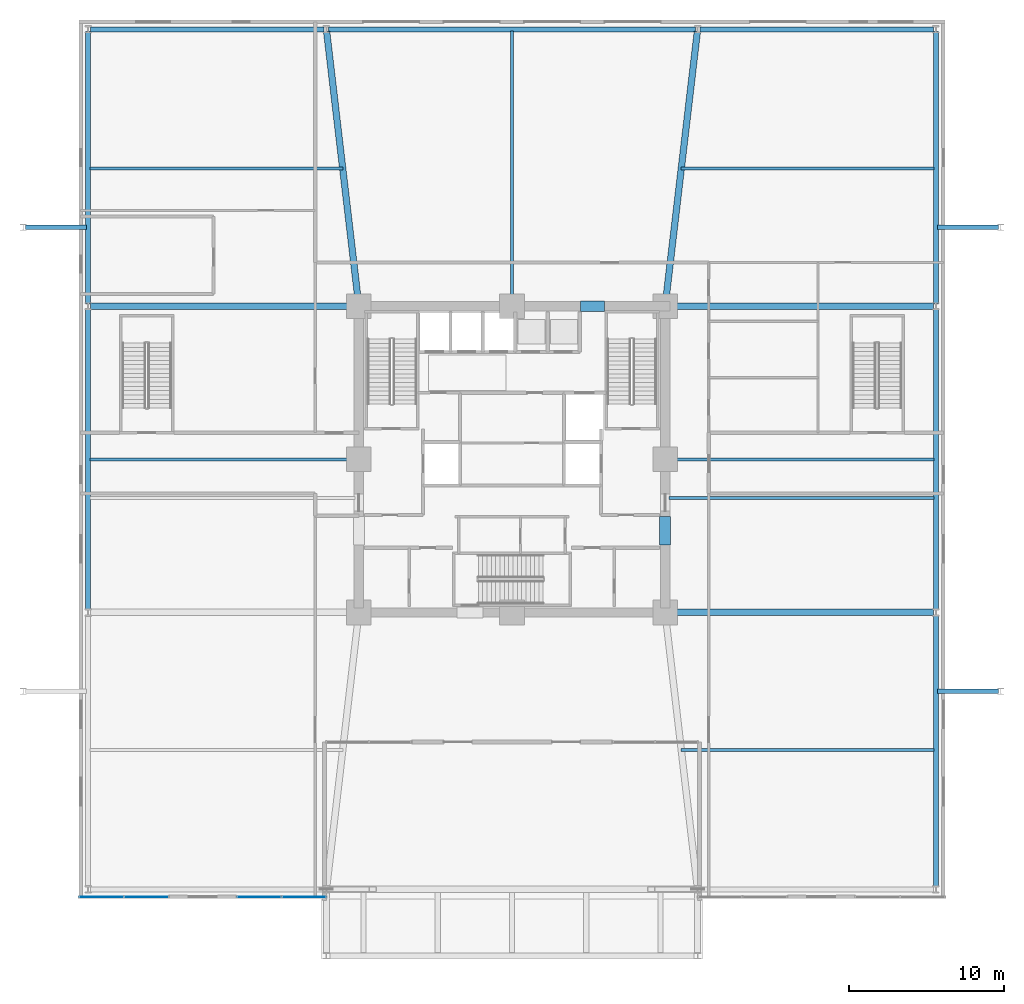
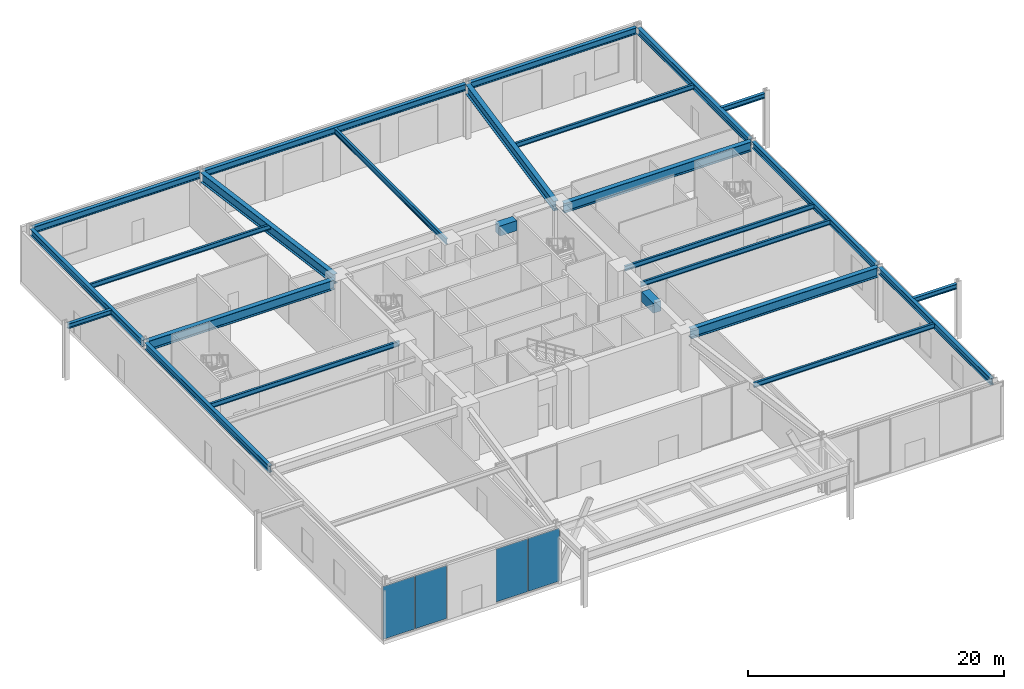
# One storey, part 15 of 24: 25 beams, 4 plates, 2 elements without a shape of their own.
"""IFC4 building model written with IfcOpenShell, lengths in metres."""

import ifcopenshell
import ifcopenshell.guid

model = None  # the IFC model being written
_history = None  # IfcOwnerHistory: only IFC2X3 demands one
_inside = {}  # id of a spatial element -> (the spatial element, [elements in it])
_under = {}  # id of a project, library or spatial element -> (it, [spatial elements below it])
_declared = {}  # id of a project -> (the project, [libraries it declares])
_typed = {}  # id of a type object -> (the type object, [elements of that type])
_made_of = {}  # id of a material, layer set ... -> (it, [elements and type objects made of it])


def new_model(schema):
    """Start an empty IFC model of exactly this schema.

    Asked for "IFC4X3", IfcOpenShell would pick the latest addendum, in which some entities
    have other attributes; the version numbers below select the first issue.
    IFC2X3 requires an IfcOwnerHistory on every rooted entity: one is made here for all.
    """
    global model, _history
    if schema == "IFC4X3":
        model = ifcopenshell.file(schema_version=(4, 3, 0, 0))
    else:
        model = ifcopenshell.file(schema=schema)
    _inside.clear()
    _under.clear()
    _declared.clear()
    _typed.clear()
    _made_of.clear()
    _history = None
    if model.schema == "IFC2X3":
        org = make("IfcOrganization", Name="unknown")
        user = make(
            "IfcPersonAndOrganization",
            ThePerson=make("IfcPerson", FamilyName="unknown"),
            TheOrganization=org,
        )
        app = make(
            "IfcApplication",
            ApplicationDeveloper=org,
            Version="unknown",
            ApplicationFullName="unknown",
            ApplicationIdentifier="unknown",
        )
        _history = make(
            "IfcOwnerHistory",
            OwningUser=user,
            OwningApplication=app,
            ChangeAction="ADDED",
            CreationDate=0,
        )
    return model


def make(cls, **values):
    """One entity of the class cls with the attributes given. An attribute that is None is left unset."""
    return model.create_entity(
        cls, **{name: value for name, value in values.items() if value is not None}
    )


def rooted(cls, **values):
    """An entity with a GlobalId (a new one), such as an element, a storey or a relation."""
    return make(cls, GlobalId=ifcopenshell.guid.new(), OwnerHistory=_history, **values)


def si_unit(unit_type, name, prefix=None):
    """IfcSIUnit, for example si_unit("LENGTHUNIT", "METRE", prefix="MILLI")."""
    return make("IfcSIUnit", UnitType=unit_type, Prefix=prefix, Name=name)


def assignment(units):
    """IfcUnitAssignment: the units of a project."""
    return None if units is None else make("IfcUnitAssignment", Units=units)


def point(xyz):
    """IfcCartesianPoint."""
    return None if xyz is None else make("IfcCartesianPoint", Coordinates=xyz)


def direction(xyz):
    """IfcDirection."""
    return None if xyz is None else make("IfcDirection", DirectionRatios=xyz)


def frame(location, z_axis=None, x_axis=None):
    """IfcAxis2Placement3D, a coordinate frame: its origin and axes. An axis left out is left unset."""
    return make(
        "IfcAxis2Placement3D",
        Location=point(location),
        Axis=direction(z_axis),
        RefDirection=direction(x_axis),
    )


def frame_2d(location, x_axis=None):
    """IfcAxis2Placement2D, a coordinate frame in the plane: its origin and x axis."""
    return make(
        "IfcAxis2Placement2D", Location=point(location), RefDirection=direction(x_axis)
    )


def origin():
    """The frame at (0, 0, 0) with its axes left unset."""
    return frame((0.0, 0.0, 0.0))


def origin_2d():
    """The frame at (0, 0) in the plane with its x axis left unset."""
    return frame_2d((0.0, 0.0))


def place(relative_to, where):
    """IfcLocalPlacement: puts the frame where relative to a parent placement (None: the world)."""
    return make(
        "IfcLocalPlacement", PlacementRelTo=relative_to, RelativePlacement=where
    )


def context(
    kind, dimensions, precision=None, world=None, true_north=None, identifier=None
):
    """IfcGeometricRepresentationContext, for example the 3D "Model" context."""
    return make(
        "IfcGeometricRepresentationContext",
        ContextIdentifier=identifier,
        ContextType=kind,
        CoordinateSpaceDimension=dimensions,
        Precision=precision,
        WorldCoordinateSystem=world,
        TrueNorth=true_north,
    )


def subcontext(parent, identifier, kind, view, scale=None):
    """IfcGeometricRepresentationSubContext, for example "Body" below "Model"."""
    return make(
        "IfcGeometricRepresentationSubContext",
        ContextIdentifier=identifier,
        ContextType=kind,
        ParentContext=parent,
        TargetScale=scale,
        TargetView=view,
    )


def project(units=None, contexts=None):
    """IfcProject with its units and contexts."""
    return rooted(
        "IfcProject",
        Name="project",
        RepresentationContexts=contexts,
        UnitsInContext=assignment(units),
    )


def spatial(cls, under=None, at=None, **own):
    """A site, building, storey or space (cls), placed at a placement, below another one or the project."""
    s = rooted(cls, ObjectPlacement=at, **own)
    if under is not None:
        _under.setdefault(under.id(), (under, []))[1].append(s)
    return s


def profile(cls, at=None, kind="AREA", **sizes):
    """A parametric profile (cls). Its sizes go by their IFC names, for example OverallWidth=200.0."""
    return make(cls, ProfileType=kind, Position=at, **sizes)


def rectangle(**sizes):
    """IfcRectangleProfileDef."""
    return profile("IfcRectangleProfileDef", **sizes)


def i_section(**sizes):
    """IfcIShapeProfileDef."""
    return profile("IfcIShapeProfileDef", **sizes)


def extrude(swept, where, along, depth):
    """IfcExtrudedAreaSolid: the profile swept, set in the frame where, extruded along a direction by depth."""
    return make(
        "IfcExtrudedAreaSolid",
        SweptArea=swept,
        Position=where,
        ExtrudedDirection=direction(along),
        Depth=depth,
    )


def shape(context_of_items, identifier, shape_type, items):
    """IfcShapeRepresentation: the items that make up one representation, for example the "Body"."""
    return make(
        "IfcShapeRepresentation",
        ContextOfItems=context_of_items,
        RepresentationIdentifier=identifier,
        RepresentationType=shape_type,
        Items=items,
    )


def material(Name=None, Category=None):
    """IfcMaterial."""
    return make("IfcMaterial", Name=Name, Category=Category)


def layer(
    of_material, thickness, ventilated=None, Name=None, Category=None, Priority=None
):
    """IfcMaterialLayer: one layer of a wall or slab, of a material (None: an air gap)."""
    return make(
        "IfcMaterialLayer",
        Material=of_material,
        LayerThickness=thickness,
        IsVentilated=ventilated,
        Name=Name,
        Category=Category,
        Priority=Priority,
    )


def layer_set(layers, Name=None):
    """IfcMaterialLayerSet."""
    return make("IfcMaterialLayerSet", MaterialLayers=layers, LayerSetName=Name)


def material_profile(
    of_material, cross_section, Name=None, Category=None, Priority=None
):
    """IfcMaterialProfile: a cross section and its material."""
    return make(
        "IfcMaterialProfile",
        Name=Name,
        Material=of_material,
        Profile=cross_section,
        Priority=Priority,
        Category=Category,
    )


def profile_set(profiles, Name=None, composite=None):
    """IfcMaterialProfileSet."""
    return make(
        "IfcMaterialProfileSet",
        Name=Name,
        MaterialProfiles=profiles,
        CompositeProfile=composite,
    )


def made_of(thing, what):
    """Note that an element or type object is made of a material, layer set ...; save() writes the relation."""
    if what is not None:
        _made_of.setdefault(what.id(), (what, []))[1].append(thing)
    return thing


def type_object(cls, material=None, **own):
    """A type object (cls), such as IfcWallType, which elements share."""
    return made_of(rooted(cls, **own), material)


def element(
    cls,
    number,
    at=None,
    inside=None,
    cuts=None,
    type_object=None,
    material=None,
    context=None,
    identifier="Body",
    shape_type=None,
    held_by="IfcProductDefinitionShape",
    body=None,
    shapes=None,
    **own,
):
    """One element of the class cls, such as IfcWall. Its Tag is "e" and its number.

    at: its placement. inside: the storey or other place that contains it. cuts: it is an
    opening in that element (IfcRelVoidsElement). A single representation is given by context,
    identifier, shape_type and body (its items); several are given by shapes. held_by: the class
    of the entity that holds the representations. save() writes the other relations.
    """
    e = rooted(cls, Tag="e%d" % number, ObjectPlacement=at, **own)
    if body is not None:
        shapes = [shape(context, identifier, shape_type, body)]
    if shapes is not None:
        e.Representation = make(held_by, Representations=shapes)
    if inside is not None:
        _inside.setdefault(inside.id(), (inside, []))[1].append(e)
    if cuts is not None:
        rooted(
            "IfcRelVoidsElement", RelatingBuildingElement=cuts, RelatedOpeningElement=e
        )
    if type_object is not None:
        _typed.setdefault(type_object.id(), (type_object, []))[1].append(e)
    return made_of(e, material)


def aggregate(whole, parts):
    """IfcRelAggregates: a whole, such as a stair, and the parts it consists of."""
    return rooted("IfcRelAggregates", RelatingObject=whole, RelatedObjects=parts)


def save(model, path):
    """Write the relations noted so far, then the file.

    IfcRelAggregates (storeys below a building ...), IfcRelContainedInSpatialStructure (elements
    in a storey), IfcRelDefinesByType, IfcRelAssociatesMaterial and IfcRelDeclares: one each for
    every whole, place, type object, material and project.
    """
    for whole, parts in _under.values():
        aggregate(whole, parts)
    for where, things in _inside.values():
        rooted(
            "IfcRelContainedInSpatialStructure",
            RelatedElements=things,
            RelatingStructure=where,
        )
    for kind, things in _typed.values():
        rooted("IfcRelDefinesByType", RelatedObjects=things, RelatingType=kind)
    for what, things in _made_of.values():
        rooted("IfcRelAssociatesMaterial", RelatedObjects=things, RelatingMaterial=what)
    for by, libraries in _declared.values():
        rooted("IfcRelDeclares", RelatingContext=by, RelatedDefinitions=libraries)
    model.write(path)


model = new_model("IFC4")

# Units and contexts
model_context = context("Model", 3, precision=1e-05, world=origin(), true_north=direction((0.0, 1.0)))
body_context = subcontext(model_context, "Body", "Model", "MODEL_VIEW")
ifc_project = project(units=[si_unit("LENGTHUNIT", "METRE"), si_unit("AREAUNIT", "SQUARE_METRE"), si_unit("VOLUMEUNIT", "CUBIC_METRE"), si_unit("PLANEANGLEUNIT", "RADIAN"), si_unit("MASSUNIT", "GRAM", prefix="KILO")], contexts=[model_context])

# Site, building, storey
site_placement = place(None, origin())
site = spatial("IfcSite", under=ifc_project, at=site_placement, CompositionType="ELEMENT")
building_placement = place(site_placement, origin())
building = spatial("IfcBuilding", under=site, at=building_placement, Name="Kolvaren Belvedere", CompositionType="ELEMENT")
storey_placement = place(building_placement, origin())
storey = spatial("IfcBuildingStorey", under=building, at=storey_placement, Name="L01", CompositionType="ELEMENT", Elevation=0.0)

# Beams
ifc_material_1 = material(Name="Structural steel ASTM A992 Grade 50", Category="steel")
ifc_material_profile_1 = material_profile(ifc_material_1, i_section(OverallWidth=0.281982421875, OverallDepth=0.467041015625, WebThickness=0.01220703125, FlangeThickness=0.01953125, FilletRadius=0.014892578125, at=origin_2d()), Name="W18X86")
ifc_profile_set_1 = profile_set([ifc_material_profile_1], Name="Structural steel ASTM A992 Grade 50")
beam_type_1 = type_object("IfcBeamType", Name="BM-CANT-PF", PredefinedType="BEAM", material=ifc_profile_set_1)
for number, where, z_axis, x_axis, name in (
    (1, (-31.43994140625, 15.0, 4.986572265625), (1.0, 0.0, 0.0), (0.0, 1.0, 0.0), "L01 Forecourt Canopy Tie Girder PAD-NW"),
    (2, (31.43994140625, 15.0, 4.986572265625), (-1.0, 0.0, 0.0), (0.0, -1.0, 0.0), "L01 Forecourt Canopy Tie Girder PAD-NE"),
    (3, (31.43994140625, -15.0, 4.986572265625), (-1.0, 0.0, 0.0), (0.0, -1.0, 0.0), "L01 Forecourt Canopy Tie Girder PAD-SE"),
):
    element("IfcBeam", number, at=place(storey_placement, frame(where, z_axis=z_axis, x_axis=x_axis)), inside=storey, type_object=beam_type_1, Name=name, PredefinedType="BEAM", context=body_context, shape_type="SweptSolid", body=[
        extrude(i_section(OverallWidth=0.281982421875, OverallDepth=0.467041015625, WebThickness=0.01220703125, FlangeThickness=0.01953125, FilletRadius=0.014892578125, at=origin_2d()), origin(), (0.0, 0.0, 1.0), 3.919921875),
    ])
ifc_material_2 = material(Name="Structural steel ASTM A992 Grade 50", Category="steel")
ifc_material_profile_2 = material_profile(ifc_material_2, i_section(OverallWidth=0.2099609375, OverallDepth=0.537109375, WebThickness=0.010986328125, FlangeThickness=0.017333984375, FilletRadius=0.01611328125, at=origin_2d()), Name="W21X68")
ifc_profile_set_2 = profile_set([ifc_material_profile_2], Name="Structural steel ASTM A992 Grade 50")
beam_type_2 = type_object("IfcBeamType", Name="BM-FLR-W21X68", PredefinedType="BEAM", material=ifc_profile_set_2)
beam_1_placement = place(storey_placement, frame((0.0, 10.14990234375, 4.951416015625), z_axis=(0.0, 1.0, 0.0), x_axis=(-1.0, 0.0, 0.0)))
element("IfcBeam", 4, at=beam_1_placement, inside=storey, type_object=beam_type_2, Name="L01 North Centre Beam", PredefinedType="BEAM", context=body_context, shape_type="SweptSolid", body=[
    extrude(i_section(OverallWidth=0.2099609375, OverallDepth=0.537109375, WebThickness=0.010986328125, FlangeThickness=0.017333984375, FilletRadius=0.01611328125, at=origin_2d()), origin(), (0.0, 0.0, 1.0), 17.530029296875),
])
ifc_material_3 = material(Name="Structural steel ASTM A992 Grade 50", Category="steel")
ifc_material_profile_3 = material_profile(ifc_material_3, i_section(OverallWidth=0.41796875, OverallDepth=0.927001953125, WebThickness=0.019287109375, FlangeThickness=0.031982421875, FilletRadius=0.028076171875, at=origin_2d()), Name="W36X231")
ifc_profile_set_3 = profile_set([ifc_material_profile_3], Name="Structural steel ASTM A992 Grade 50")
beam_type_3 = type_object("IfcBeamType", Name="BM-GIRD-W36X231", PredefinedType="BEAM", material=ifc_profile_set_3)
for number, where, z_axis, x_axis, name in (
    (5, (-27.25, 9.89990234375, 4.756591796875), (1.0, 0.0, 0.0), (0.0, 1.0, 0.0), "L01 West Interior Girder N"),
    (6, (10.35009765625, -9.89990234375, 4.756591796875), (1.0, 0.0, 0.0), (0.0, 1.0, 0.0), "L01 East Interior Girder S"),
    (7, (10.35009765625, 9.89990234375, 4.756591796875), (1.0, 0.0, 0.0), (0.0, 1.0, 0.0), "L01 East Interior Girder N"),
):
    element("IfcBeam", number, at=place(storey_placement, frame(where, z_axis=z_axis, x_axis=x_axis)), inside=storey, type_object=beam_type_3, Name=name, PredefinedType="BEAM", context=body_context, shape_type="SweptSolid", body=[
        extrude(i_section(OverallWidth=0.41796875, OverallDepth=0.927001953125, WebThickness=0.019287109375, FlangeThickness=0.031982421875, FilletRadius=0.028076171875, at=origin_2d()), origin(), (0.0, 0.0, 1.0), 16.89990234375),
    ])
for number, where, z_axis, x_axis, name in (
    (8, (-9.952392578125, 10.346923828125, 4.756591796875), (-0.116516841483, 0.993188716031, 0.0), (-0.993188716031, -0.116516841483, 0.0), "L01 North-West Radial Girder"),
    (9, (9.952392578125, 10.346923828125, 4.756591796875), (0.116516841483, 0.993188716031, 0.0), (-0.993188716031, 0.116516841483, 0.0), "L01 North-East Radial Girder"),
):
    element("IfcBeam", number, at=place(storey_placement, frame(where, z_axis=z_axis, x_axis=x_axis)), inside=storey, type_object=beam_type_3, Name=name, PredefinedType="BEAM", context=body_context, shape_type="SweptSolid", body=[
        extrude(i_section(OverallWidth=0.41796875, OverallDepth=0.927001953125, WebThickness=0.019287109375, FlangeThickness=0.031982421875, FilletRadius=0.028076171875, at=origin_2d()), origin(), (0.0, 0.0, 1.0), 17.422607421875),
    ])
ifc_material_4 = material(Name="Structural steel ASTM A992 Grade 50", Category="steel")
ifc_material_profile_4 = material_profile(ifc_material_4, i_section(OverallWidth=0.19091796875, OverallDepth=0.4599609375, WebThickness=0.010009765625, FlangeThickness=0.01611328125, FilletRadius=0.014892578125, at=origin_2d()), Name="W18X55")
ifc_profile_set_4 = profile_set([ifc_material_profile_4], Name="Structural steel ASTM A992 Grade 50")
beam_type_4 = type_object("IfcBeamType", Name="BM-JOIST-W18X55", PredefinedType="BEAM", material=ifc_profile_set_4)
beam_2_placement = place(storey_placement, frame((10.93994140625, -18.800048828125, 4.989990234375), z_axis=(1.0, 0.0, 0.0), x_axis=(0.0, 1.0, 0.0)))
element("IfcBeam", 10, at=beam_2_placement, inside=storey, type_object=beam_type_4, Name="L01 East Bay Floor Beam", PredefinedType="BEAM", context=body_context, shape_type="SweptSolid", body=[
    extrude(i_section(OverallWidth=0.19091796875, OverallDepth=0.4599609375, WebThickness=0.010009765625, FlangeThickness=0.01611328125, FilletRadius=0.014892578125, at=origin_2d()), origin(), (0.0, 0.0, 1.0), 16.340087890625),
])
for number, where, z_axis, x_axis, name in (
    (11, (10.14990234375, -2.5, 4.989990234375), (1.0, 0.0, 0.0), (0.0, 1.0, 0.0), "L01 East Bay Floor Beam"),
    (12, (-27.280029296875, 0.0, 4.989990234375), (1.0, 0.0, 0.0), (0.0, 1.0, 0.0), "L01 West Bay Floor Beam"),
    (13, (10.14990234375, 0.0, 4.989990234375), (1.0, 0.0, 0.0), (0.0, 1.0, 0.0), "L01 East Bay Floor Beam"),
):
    element("IfcBeam", number, at=place(storey_placement, frame(where, z_axis=z_axis, x_axis=x_axis)), inside=storey, type_object=beam_type_4, Name=name, PredefinedType="BEAM", context=body_context, shape_type="SweptSolid", body=[
        extrude(i_section(OverallWidth=0.19091796875, OverallDepth=0.4599609375, WebThickness=0.010009765625, FlangeThickness=0.01611328125, FilletRadius=0.014892578125, at=origin_2d()), origin(), (0.0, 0.0, 1.0), 17.130126953125),
    ])
for number, where, z_axis, x_axis, name in (
    (14, (-27.280029296875, 18.800048828125, 4.989990234375), (1.0, 0.0, 0.0), (0.0, 1.0, 0.0), "L01 West Bay Floor Beam"),
    (15, (10.93994140625, 18.800048828125, 4.989990234375), (1.0, 0.0, 0.0), (0.0, 1.0, 0.0), "L01 East Bay Floor Beam"),
):
    element("IfcBeam", number, at=place(storey_placement, frame(where, z_axis=z_axis, x_axis=x_axis)), inside=storey, type_object=beam_type_4, Name=name, PredefinedType="BEAM", context=body_context, shape_type="SweptSolid", body=[
        extrude(i_section(OverallWidth=0.19091796875, OverallDepth=0.4599609375, WebThickness=0.010009765625, FlangeThickness=0.01611328125, FilletRadius=0.014892578125, at=origin_2d()), origin(), (0.0, 0.0, 1.0), 16.340087890625),
    ])
ifc_material_5 = material(Name="Concrete C60/75", Category="concrete")
ifc_material_profile_5 = material_profile(ifc_material_5, rectangle(XDim=0.699951171875, YDim=0.949951171875, at=origin_2d()), Name="RC 700X950")
ifc_profile_set_5 = profile_set([ifc_material_profile_5], Name="Concrete C60/75")
beam_type_5 = type_object("IfcBeamType", Name="BM-LINT-950", PredefinedType="LINTEL", material=ifc_profile_set_5)
beam_3_placement = place(storey_placement, frame((4.419921875, 9.89990234375, 4.7451171875), z_axis=(1.0, 0.0, 0.0), x_axis=(0.0, 1.0, 0.0)))
element("IfcBeam", 16, at=beam_3_placement, inside=storey, type_object=beam_type_5, Name="L01 North Core Coupling Lintel", PredefinedType="LINTEL", context=body_context, shape_type="SweptSolid", body=[
    extrude(rectangle(XDim=0.699951171875, YDim=0.949951171875, at=origin_2d()), origin(), (0.0, 0.0, 1.0), 1.56005859375),
])
beam_4_placement = place(storey_placement, frame((9.89990234375, -5.550048828125, 4.7451171875), z_axis=(0.0, 1.0, 0.0), x_axis=(-1.0, 0.0, 0.0)))
element("IfcBeam", 17, at=beam_4_placement, inside=storey, type_object=beam_type_5, Name="L01 East Core Coupling Lintel", PredefinedType="LINTEL", context=body_context, shape_type="SweptSolid", body=[
    extrude(rectangle(XDim=0.699951171875, YDim=0.949951171875, at=origin_2d()), origin(), (0.0, 0.0, 1.0), 1.85009765625),
])
ifc_material_6 = material(Name="Structural steel ASTM A992 Grade 50", Category="steel")
ifc_material_profile_6 = material_profile(ifc_material_6, i_section(OverallWidth=0.324951171875, OverallDepth=0.615966796875, WebThickness=0.013916015625, FlangeThickness=0.021484375, FilletRadius=0.02001953125, at=origin_2d()), Name="W24X117")
ifc_profile_set_6 = profile_set([ifc_material_profile_6], Name="Structural steel ASTM A992 Grade 50")
beam_type_6 = type_object("IfcBeamType", Name="BM-SPAN-W24X117", PredefinedType="SPANDREL", material=ifc_profile_set_6)
beam_5_placement = place(storey_placement, frame((-27.25, 27.800048828125, 4.912109375), z_axis=(1.0, 0.0, 0.0), x_axis=(0.0, 1.0, 0.0)))
element("IfcBeam", 18, at=beam_5_placement, inside=storey, type_object=beam_type_6, Name="L01 North Podium Spandrel 1", PredefinedType="SPANDREL", context=body_context, shape_type="SweptSolid", body=[
    extrude(i_section(OverallWidth=0.324951171875, OverallDepth=0.615966796875, WebThickness=0.013916015625, FlangeThickness=0.021484375, FilletRadius=0.02001953125, at=origin_2d()), origin(), (0.0, 0.0, 1.0), 15.10009765625),
])
beam_6_placement = place(storey_placement, frame((-11.85009765625, 27.800048828125, 4.912109375), z_axis=(1.0, 0.0, 0.0), x_axis=(0.0, 1.0, 0.0)))
element("IfcBeam", 19, at=beam_6_placement, inside=storey, type_object=beam_type_6, Name="L01 North Podium Spandrel 2", PredefinedType="SPANDREL", context=body_context, shape_type="SweptSolid", body=[
    extrude(i_section(OverallWidth=0.324951171875, OverallDepth=0.615966796875, WebThickness=0.013916015625, FlangeThickness=0.021484375, FilletRadius=0.02001953125, at=origin_2d()), origin(), (0.0, 0.0, 1.0), 23.7001953125),
])
beam_7_placement = place(storey_placement, frame((12.14990234375, 27.800048828125, 4.912109375), z_axis=(1.0, 0.0, 0.0), x_axis=(0.0, 1.0, 0.0)))
element("IfcBeam", 20, at=beam_7_placement, inside=storey, type_object=beam_type_6, Name="L01 North Podium Spandrel 3", PredefinedType="SPANDREL", context=body_context, shape_type="SweptSolid", body=[
    extrude(i_section(OverallWidth=0.324951171875, OverallDepth=0.615966796875, WebThickness=0.013916015625, FlangeThickness=0.021484375, FilletRadius=0.02001953125, at=origin_2d()), origin(), (0.0, 0.0, 1.0), 15.10009765625),
])
beam_8_placement = place(storey_placement, frame((-27.39990234375, -9.75, 4.912109375), z_axis=(0.0, 1.0, 0.0), x_axis=(-1.0, 0.0, 0.0)))
element("IfcBeam", 21, at=beam_8_placement, inside=storey, type_object=beam_type_6, Name="L01 W Podium Spandrel 2", PredefinedType="SPANDREL", context=body_context, shape_type="SweptSolid", body=[
    extrude(i_section(OverallWidth=0.324951171875, OverallDepth=0.615966796875, WebThickness=0.013916015625, FlangeThickness=0.021484375, FilletRadius=0.02001953125, at=origin_2d()), origin(), (0.0, 0.0, 1.0), 19.5),
])
for number, where, z_axis, x_axis, name in (
    (22, (-27.39990234375, 10.050048828125, 4.912109375), (0.0, 1.0, 0.0), (-1.0, 0.0, 0.0), "L01 W Podium Spandrel 3"),
    (23, (27.39990234375, -27.64990234375, 4.912109375), (0.0, 1.0, 0.0), (-1.0, 0.0, 0.0), "L01 E Podium Spandrel 1"),
):
    element("IfcBeam", number, at=place(storey_placement, frame(where, z_axis=z_axis, x_axis=x_axis)), inside=storey, type_object=beam_type_6, Name=name, PredefinedType="SPANDREL", context=body_context, shape_type="SweptSolid", body=[
        extrude(i_section(OverallWidth=0.324951171875, OverallDepth=0.615966796875, WebThickness=0.013916015625, FlangeThickness=0.021484375, FilletRadius=0.02001953125, at=origin_2d()), origin(), (0.0, 0.0, 1.0), 17.599853515625),
    ])
beam_9_placement = place(storey_placement, frame((27.39990234375, -9.75, 4.912109375), z_axis=(0.0, 1.0, 0.0), x_axis=(-1.0, 0.0, 0.0)))
element("IfcBeam", 24, at=beam_9_placement, inside=storey, type_object=beam_type_6, Name="L01 E Podium Spandrel 2", PredefinedType="SPANDREL", context=body_context, shape_type="SweptSolid", body=[
    extrude(i_section(OverallWidth=0.324951171875, OverallDepth=0.615966796875, WebThickness=0.013916015625, FlangeThickness=0.021484375, FilletRadius=0.02001953125, at=origin_2d()), origin(), (0.0, 0.0, 1.0), 19.5),
])
beam_10_placement = place(storey_placement, frame((27.39990234375, 10.050048828125, 4.912109375), z_axis=(0.0, 1.0, 0.0), x_axis=(-1.0, 0.0, 0.0)))
element("IfcBeam", 25, at=beam_10_placement, inside=storey, type_object=beam_type_6, Name="L01 E Podium Spandrel 3", PredefinedType="SPANDREL", context=body_context, shape_type="SweptSolid", body=[
    extrude(i_section(OverallWidth=0.324951171875, OverallDepth=0.615966796875, WebThickness=0.013916015625, FlangeThickness=0.021484375, FilletRadius=0.02001953125, at=origin_2d()), origin(), (0.0, 0.0, 1.0), 17.599853515625),
])

# Curtain wall, plates
ifc_material_7 = material(Name="Anodised pale-metal aluminium AA 6063-T6", Category="aluminium")
curtain_wall_type = type_object("IfcCurtainWallType", Name="CW-POD-A", PredefinedType="NOTDEFINED", material=ifc_material_7)
curtain_wall_1_placement = place(storey_placement, origin())
curtain_wall_1 = element("IfcCurtainWall", 26, at=curtain_wall_1_placement, inside=storey, type_object=curtain_wall_type, Name="L01 Unitised Curtain Wall FCW-L01-SW1", PredefinedType="NOTDEFINED")
ifc_material_8 = material(Name="Low-iron laminated vision glass", Category="glass")
ifc_layer = layer(ifc_material_8, 0.031982421875)
ifc_layer_set = layer_set([ifc_layer], Name="Low-iron laminated vision glass")
plate_type = type_object("IfcPlateType", Name="CW-PNL-VIS32", PredefinedType="CURTAIN_PANEL", material=ifc_layer_set)
plate_1_placement = place(storey_placement, frame((-13.449951171875, -28.280029296875, 0.080078125), z_axis=(0.0, 0.0, 1.0), x_axis=(-1.0, 0.0, 0.0)))
plate_1 = element("IfcPlate", 27, at=plate_1_placement, type_object=plate_type, Name="FCW-L01-SW1 Vision Glazing Panel 1", PredefinedType="CURTAIN_PANEL", context=body_context, shape_type="SweptSolid", body=[
    extrude(rectangle(XDim=2.820068359375, YDim=0.031982421875, at=origin_2d()), origin(), (0.0, 0.0, 1.0), 5.06005859375),
])
plate_2_placement = place(storey_placement, frame((-16.35009765625, -28.280029296875, 0.080078125), z_axis=(0.0, 0.0, 1.0), x_axis=(-1.0, 0.0, 0.0)))
plate_2 = element("IfcPlate", 28, at=plate_2_placement, type_object=plate_type, Name="FCW-L01-SW1 Vision Glazing Panel 2", PredefinedType="CURTAIN_PANEL", context=body_context, shape_type="SweptSolid", body=[
    extrude(rectangle(XDim=2.820068359375, YDim=0.031982421875, at=origin_2d()), origin(), (0.0, 0.0, 1.0), 5.06005859375),
])
aggregate(curtain_wall_1, [plate_1, plate_2])

curtain_wall_2_placement = place(storey_placement, origin())
curtain_wall_2 = element("IfcCurtainWall", 29, at=curtain_wall_2_placement, inside=storey, type_object=curtain_wall_type, Name="L01 Unitised Curtain Wall FCW-L01-SW2", PredefinedType="NOTDEFINED")
plate_3_placement = place(storey_placement, frame((-23.64990234375, -28.280029296875, 0.080078125), z_axis=(0.0, 0.0, 1.0), x_axis=(-1.0, 0.0, 0.0)))
plate_3 = element("IfcPlate", 30, at=plate_3_placement, type_object=plate_type, Name="FCW-L01-SW2 Vision Glazing Panel 1", PredefinedType="CURTAIN_PANEL", context=body_context, shape_type="SweptSolid", body=[
    extrude(rectangle(XDim=2.820068359375, YDim=0.031982421875, at=origin_2d()), origin(), (0.0, 0.0, 1.0), 5.06005859375),
])
plate_4_placement = place(storey_placement, frame((-26.550048828125, -28.280029296875, 0.080078125), z_axis=(0.0, 0.0, 1.0), x_axis=(-1.0, 0.0, 0.0)))
plate_4 = element("IfcPlate", 31, at=plate_4_placement, type_object=plate_type, Name="FCW-L01-SW2 Vision Glazing Panel 2", PredefinedType="CURTAIN_PANEL", context=body_context, shape_type="SweptSolid", body=[
    extrude(rectangle(XDim=2.820068359375, YDim=0.031982421875, at=origin_2d()), origin(), (0.0, 0.0, 1.0), 5.06005859375),
])
aggregate(curtain_wall_2, [plate_3, plate_4])

save(model, "model.ifc")
